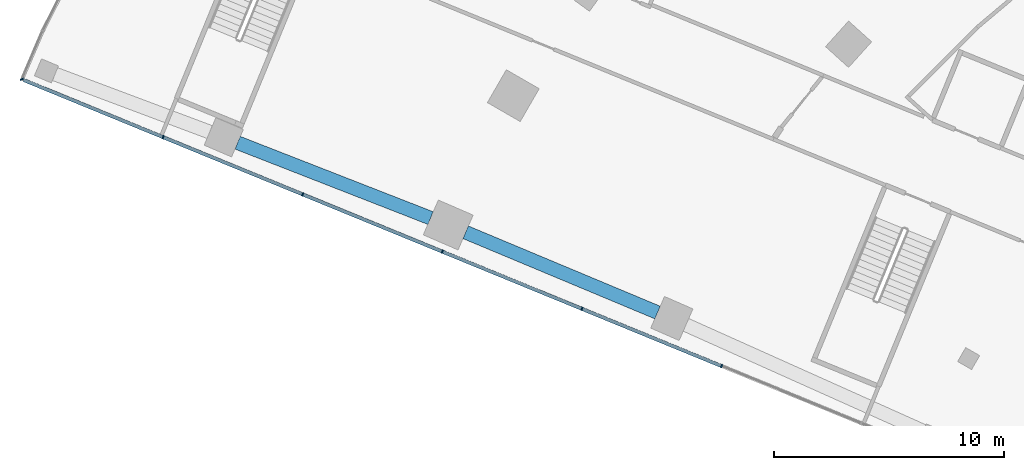
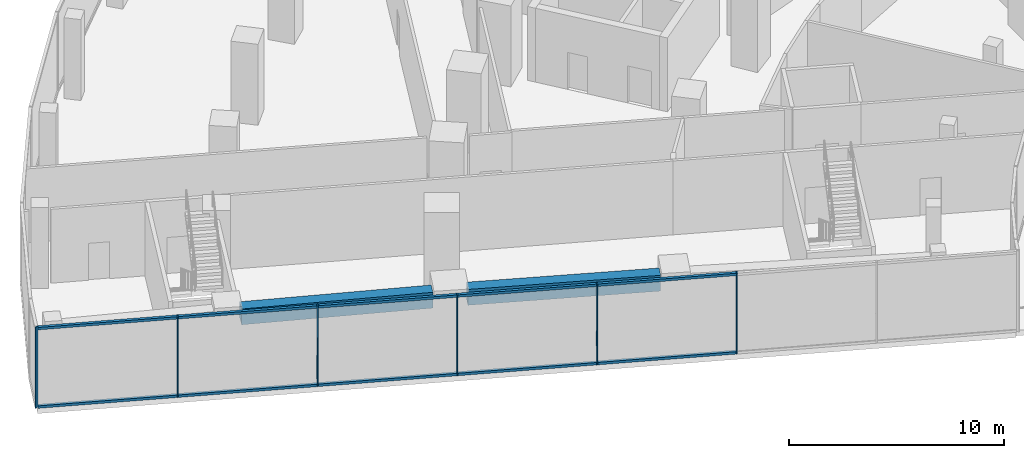
# One storey, part 2 of 39: 16 members, 2 beams, 1 element without a shape of its own.
"""IFC4 building model written with IfcOpenShell, lengths in metres."""

from ifc_helpers import new_model, si_unit, direction, frame, origin, origin_2d, place, context, subcontext, project, spatial, rectangle, extrude, material, layer, layer_set, material_profile, profile_set, type_object, element, aggregate, save


model = new_model("IFC4")

# Units and contexts
model_context = context("Model", 3, precision=1e-05, world=origin(), true_north=direction((0.0, 1.0)))
body_context = subcontext(model_context, "Body", "Model", "MODEL_VIEW")
ifc_project = project(units=[si_unit("LENGTHUNIT", "METRE"), si_unit("AREAUNIT", "SQUARE_METRE"), si_unit("VOLUMEUNIT", "CUBIC_METRE"), si_unit("PLANEANGLEUNIT", "RADIAN"), si_unit("MASSUNIT", "GRAM", prefix="KILO")], contexts=[model_context])

# Site, building, storey
site_placement = place(None, origin())
site = spatial("IfcSite", under=ifc_project, at=site_placement, CompositionType="ELEMENT")
building_placement = place(site_placement, origin())
building = spatial("IfcBuilding", under=site, at=building_placement, Name="Stone Belt Terrace Tower", CompositionType="ELEMENT")
storey_placement = place(building_placement, frame((0.0, 0.0, 20.800048828125)))
storey = spatial("IfcBuildingStorey", under=building, at=storey_placement, Name="L04", CompositionType="ELEMENT", Elevation=20.800048828125)

# Curtain wall, members
ifc_material_1 = material(Name="Aluminium 6063-T6 anodised frame", Category="aluminium")
ifc_layer = layer(ifc_material_1, 0.14990234375)
ifc_layer_set = layer_set([ifc_layer], Name="CW-D podium shopfront")
curtain_wall_type = type_object("IfcCurtainWallType", Name="CW-D podium shopfront", PredefinedType="NOTDEFINED", material=ifc_layer_set)
curtain_wall_placement = place(storey_placement, origin())
curtain_wall = element("IfcCurtainWall", 1, at=curtain_wall_placement, inside=storey, type_object=curtain_wall_type, Name="CW-D end face L04", PredefinedType="NOTDEFINED")
ifc_material_profile_1 = material_profile(ifc_material_1, rectangle(XDim=0.14990234375, YDim=0.06005859375, at=origin_2d()), Name="Aluminium 6063-T6 60x150")
ifc_profile_set_1 = profile_set([ifc_material_profile_1], Name="Aluminium 6063-T6 anodised frame")
member_type_1 = type_object("IfcMemberType", Name="CW-D mullion 60 x 150", PredefinedType="MULLION", material=ifc_profile_set_1)
member_1_placement = place(storey_placement, frame((-69.033447265625, 28.213134765625, 0.0), z_axis=(0.0, 0.0, 1.0), x_axis=(0.925309719849, 0.379212239192, 0.0)))
member_1 = element("IfcMember", 2, at=member_1_placement, type_object=member_type_1, Name="CW-D mullion 1", PredefinedType="MULLION", context=body_context, shape_type="SweptSolid", body=[
    extrude(rectangle(XDim=0.14990234375, YDim=0.06005859375, at=origin_2d()), origin(), (0.0, 0.0, 1.0), 4.599853515625),
])
member_2_placement = place(storey_placement, frame((-62.882568359375, 25.692138671875, 0.0), z_axis=(0.0, 0.0, 1.0), x_axis=(0.379243093825, 0.925297074342, 0.0)))
member_2 = element("IfcMember", 3, at=member_2_placement, type_object=member_type_1, Name="CW-D mullion 2", PredefinedType="MULLION", context=body_context, shape_type="SweptSolid", body=[
    extrude(rectangle(XDim=0.14990234375, YDim=0.06005859375, at=origin_2d()), origin(), (0.0, 0.0, 1.0), 4.599853515625),
])
member_3_placement = place(storey_placement, frame((-56.802001953125, 23.199951171875, 0.0), z_axis=(0.0, 0.0, 1.0), x_axis=(0.379243093825, 0.925297074342, 0.0)))
member_3 = element("IfcMember", 4, at=member_3_placement, type_object=member_type_1, Name="CW-D mullion 3", PredefinedType="MULLION", context=body_context, shape_type="SweptSolid", body=[
    extrude(rectangle(XDim=0.14990234375, YDim=0.06005859375, at=origin_2d()), origin(), (0.0, 0.0, 1.0), 4.599853515625),
])
member_4_placement = place(storey_placement, frame((-50.721435546875, 20.707763671875, 0.0), z_axis=(0.0, 0.0, 1.0), x_axis=(0.379243093825, 0.925297074342, 0.0)))
member_4 = element("IfcMember", 5, at=member_4_placement, type_object=member_type_1, Name="CW-D mullion 4", PredefinedType="MULLION", context=body_context, shape_type="SweptSolid", body=[
    extrude(rectangle(XDim=0.14990234375, YDim=0.06005859375, at=origin_2d()), origin(), (0.0, 0.0, 1.0), 4.599853515625),
])
member_5_placement = place(storey_placement, frame((-44.640869140625, 18.215576171875, 0.0), z_axis=(0.0, 0.0, 1.0), x_axis=(0.379243093825, 0.925297074342, 0.0)))
member_5 = element("IfcMember", 6, at=member_5_placement, type_object=member_type_1, Name="CW-D mullion 5", PredefinedType="MULLION", context=body_context, shape_type="SweptSolid", body=[
    extrude(rectangle(XDim=0.14990234375, YDim=0.06005859375, at=origin_2d()), origin(), (0.0, 0.0, 1.0), 4.599853515625),
])
member_6_placement = place(storey_placement, frame((-38.560546875, 15.723388671875, 0.0), z_axis=(0.0, 0.0, 1.0), x_axis=(0.379243093825, 0.925297074342, 0.0)))
member_6 = element("IfcMember", 7, at=member_6_placement, type_object=member_type_1, Name="CW-D mullion 6", PredefinedType="MULLION", context=body_context, shape_type="SweptSolid", body=[
    extrude(rectangle(XDim=0.14990234375, YDim=0.06005859375, at=origin_2d()), origin(), (0.0, 0.0, 1.0), 4.599853515625),
])
ifc_material_profile_2 = material_profile(ifc_material_1, rectangle(XDim=0.14990234375, YDim=0.139892578125, at=origin_2d()), Name="Aluminium 6063-T6 150x140")
ifc_profile_set_2 = profile_set([ifc_material_profile_2], Name="Aluminium 6063-T6 anodised frame")
member_type_2 = type_object("IfcMemberType", Name="CW-D transom 140 x 150", PredefinedType="USERDEFINED", material=ifc_profile_set_2)
member_7_placement = place(storey_placement, frame((-68.964599609375, 28.184814453125, 0.070068359375), z_axis=(0.925293547602, -0.379251698436, 0.0), x_axis=(0.379251698436, 0.925293547602, 0.0)))
member_7 = element("IfcMember", 8, at=member_7_placement, type_object=member_type_2, Name="CW-D transom 1.1", ObjectType="TRANSOM", PredefinedType="USERDEFINED", context=body_context, shape_type="SweptSolid", body=[
    extrude(rectangle(XDim=0.14990234375, YDim=0.139892578125, at=origin_2d()), origin(), (0.0, 0.0, 1.0), 6.54296875),
])
member_8_placement = place(storey_placement, frame((-68.964599609375, 28.184814453125, 4.530029296875), z_axis=(0.925293547602, -0.379251698436, 0.0), x_axis=(0.379251698436, 0.925293547602, 0.0)))
member_8 = element("IfcMember", 9, at=member_8_placement, type_object=member_type_2, Name="CW-D transom 1.2", ObjectType="TRANSOM", PredefinedType="USERDEFINED", context=body_context, shape_type="SweptSolid", body=[
    extrude(rectangle(XDim=0.14990234375, YDim=0.139892578125, at=origin_2d()), origin(), (0.0, 0.0, 1.0), 6.54296875),
])
member_9_placement = place(storey_placement, frame((-62.854736328125, 25.6806640625, 0.070068359375), z_axis=(0.925291118543, -0.379257624769, 0.0), x_axis=(0.379257624769, 0.925291118543, 0.0)))
member_9 = element("IfcMember", 10, at=member_9_placement, type_object=member_type_2, Name="CW-D transom 2.1", ObjectType="TRANSOM", PredefinedType="USERDEFINED", context=body_context, shape_type="SweptSolid", body=[
    extrude(rectangle(XDim=0.14990234375, YDim=0.139892578125, at=origin_2d()), origin(), (0.0, 0.0, 1.0), 6.511474609375),
])
member_10_placement = place(storey_placement, frame((-62.854736328125, 25.6806640625, 4.530029296875), z_axis=(0.925291118543, -0.379257624769, 0.0), x_axis=(0.379257624769, 0.925291118543, 0.0)))
member_10 = element("IfcMember", 11, at=member_10_placement, type_object=member_type_2, Name="CW-D transom 2.2", ObjectType="TRANSOM", PredefinedType="USERDEFINED", context=body_context, shape_type="SweptSolid", body=[
    extrude(rectangle(XDim=0.14990234375, YDim=0.139892578125, at=origin_2d()), origin(), (0.0, 0.0, 1.0), 6.511474609375),
])
member_11_placement = place(storey_placement, frame((-56.774169921875, 23.1884765625, 0.070068359375), z_axis=(0.925291118543, -0.379257624769, 0.0), x_axis=(0.379257624769, 0.925291118543, 0.0)))
member_11 = element("IfcMember", 12, at=member_11_placement, type_object=member_type_2, Name="CW-D transom 3.1", ObjectType="TRANSOM", PredefinedType="USERDEFINED", context=body_context, shape_type="SweptSolid", body=[
    extrude(rectangle(XDim=0.14990234375, YDim=0.139892578125, at=origin_2d()), origin(), (0.0, 0.0, 1.0), 6.511474609375),
])
member_12_placement = place(storey_placement, frame((-56.774169921875, 23.1884765625, 4.530029296875), z_axis=(0.925291118543, -0.379257624769, 0.0), x_axis=(0.379257624769, 0.925291118543, 0.0)))
member_12 = element("IfcMember", 13, at=member_12_placement, type_object=member_type_2, Name="CW-D transom 3.2", ObjectType="TRANSOM", PredefinedType="USERDEFINED", context=body_context, shape_type="SweptSolid", body=[
    extrude(rectangle(XDim=0.14990234375, YDim=0.139892578125, at=origin_2d()), origin(), (0.0, 0.0, 1.0), 6.511474609375),
])
member_13_placement = place(storey_placement, frame((-50.69384765625, 20.6962890625, 0.070068359375), z_axis=(0.925296511345, -0.379244467452, 0.0), x_axis=(0.379244467452, 0.925296511345, 0.0)))
member_13 = element("IfcMember", 14, at=member_13_placement, type_object=member_type_2, Name="CW-D transom 4.1", ObjectType="TRANSOM", PredefinedType="USERDEFINED", context=body_context, shape_type="SweptSolid", body=[
    extrude(rectangle(XDim=0.14990234375, YDim=0.139892578125, at=origin_2d()), origin(), (0.0, 0.0, 1.0), 6.511474609375),
])
member_14_placement = place(storey_placement, frame((-50.69384765625, 20.6962890625, 4.530029296875), z_axis=(0.925296511345, -0.379244467452, 0.0), x_axis=(0.379244467452, 0.925296511345, 0.0)))
member_14 = element("IfcMember", 15, at=member_14_placement, type_object=member_type_2, Name="CW-D transom 4.2", ObjectType="TRANSOM", PredefinedType="USERDEFINED", context=body_context, shape_type="SweptSolid", body=[
    extrude(rectangle(XDim=0.14990234375, YDim=0.139892578125, at=origin_2d()), origin(), (0.0, 0.0, 1.0), 6.511474609375),
])
member_15_placement = place(storey_placement, frame((-44.61328125, 18.2041015625, 0.070068359375), z_axis=(0.925309667874, -0.379212366015, 0.0), x_axis=(0.379212366015, 0.925309667874, 0.0)))
member_15 = element("IfcMember", 16, at=member_15_placement, type_object=member_type_2, Name="CW-D transom 5.1", ObjectType="TRANSOM", PredefinedType="USERDEFINED", context=body_context, shape_type="SweptSolid", body=[
    extrude(rectangle(XDim=0.14990234375, YDim=0.139892578125, at=origin_2d()), origin(), (0.0, 0.0, 1.0), 6.511474609375),
])
member_16_placement = place(storey_placement, frame((-44.61328125, 18.2041015625, 4.530029296875), z_axis=(0.925309667874, -0.379212366015, 0.0), x_axis=(0.379212366015, 0.925309667874, 0.0)))
member_16 = element("IfcMember", 17, at=member_16_placement, type_object=member_type_2, Name="CW-D transom 5.2", ObjectType="TRANSOM", PredefinedType="USERDEFINED", context=body_context, shape_type="SweptSolid", body=[
    extrude(rectangle(XDim=0.14990234375, YDim=0.139892578125, at=origin_2d()), origin(), (0.0, 0.0, 1.0), 6.511474609375),
])
aggregate(curtain_wall, [member_1, member_2, member_3, member_4, member_5, member_6, member_7, member_8, member_9, member_10, member_11, member_12, member_13, member_14, member_15, member_16])

# Beams
ifc_material_2 = material(Name="Concrete B60", Category="concrete")
ifc_material_profile_3 = material_profile(ifc_material_2, rectangle(XDim=0.60009765625, YDim=0.89990234375, at=origin_2d()), Name="RC 600x900")
ifc_profile_set_3 = profile_set([ifc_material_profile_3], Name="Concrete B60")
beam_type = type_object("IfcBeamType", Name="Edge beam RC 600x900 B60", PredefinedType="SPANDREL", material=ifc_profile_set_3)
beam_1_placement = place(storey_placement, frame((-41.35009765625, 18.05517578125, 3.75), z_axis=(-0.922576038767, 0.385815309044, 0.0), x_axis=(-0.385815309044, -0.922576038767, 0.0)))
element("IfcBeam", 18, at=beam_1_placement, inside=storey, type_object=beam_type, Name="Edge beam L04 A P to Q", PredefinedType="SPANDREL", context=body_context, shape_type="SweptSolid", body=[
    extrude(rectangle(XDim=0.60009765625, YDim=0.89990234375, at=origin_2d()), origin(), (0.0, 0.0, 1.0), 9.055908203125),
])
beam_2_placement = place(storey_placement, frame((-51.235107421875, 22.167724609375, 3.75), z_axis=(-0.931488596429, 0.363770524813, 0.0), x_axis=(-0.363770524813, -0.931488596429, 0.0)))
element("IfcBeam", 19, at=beam_2_placement, inside=storey, type_object=beam_type, Name="Edge beam L04 A Q to R", PredefinedType="SPANDREL", context=body_context, shape_type="SweptSolid", body=[
    extrude(rectangle(XDim=0.60009765625, YDim=0.89990234375, at=origin_2d()), origin(), (0.0, 0.0, 1.0), 9.018798828125),
])

save(model, "model.ifc")
